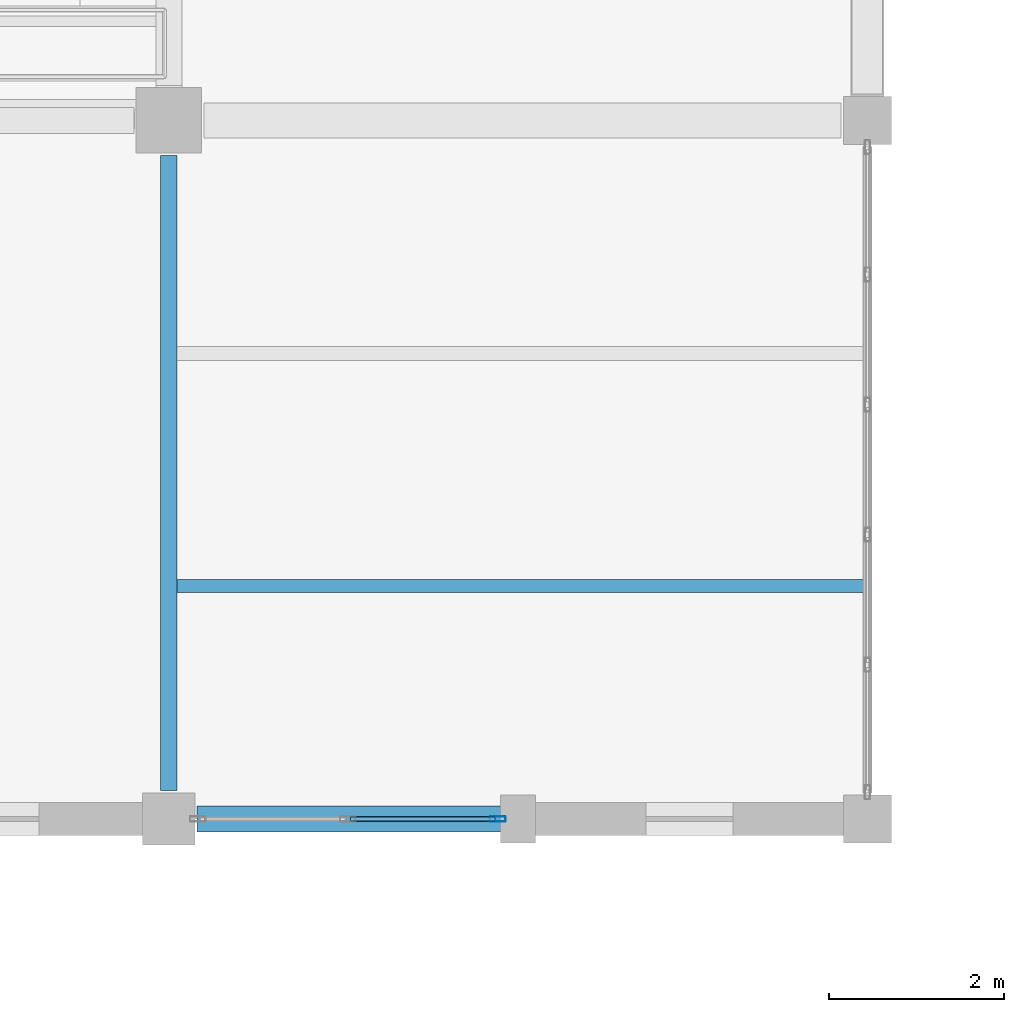
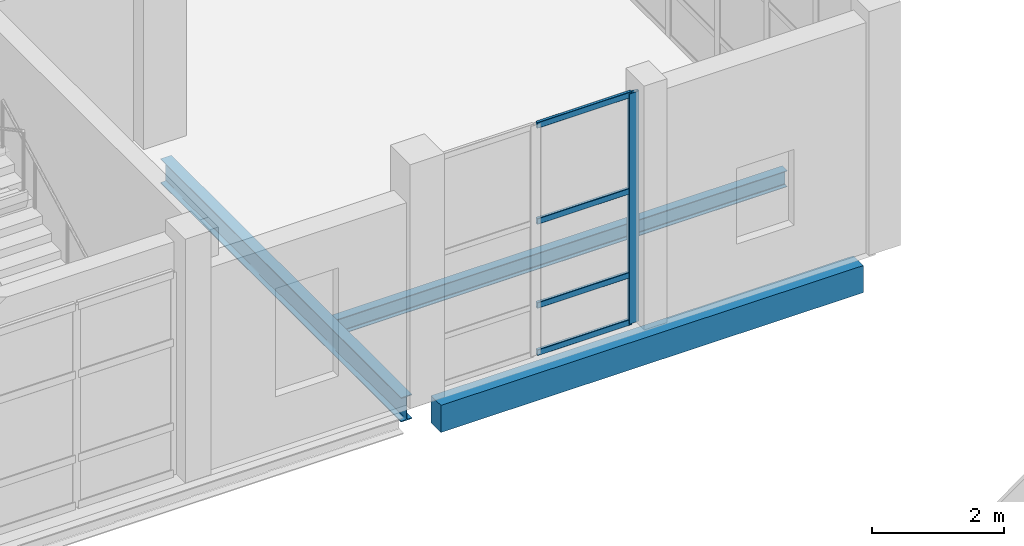
# One storey, part 47 of 183: 5 members, 3 beams, 1 element without a shape of its own.
"""IFC4 building model written with IfcOpenShell, lengths in metres."""

from ifc_helpers import new_model, si_unit, direction, frame, origin, origin_2d, place, context, subcontext, project, spatial, rectangle, hollow_rectangle, i_section, extrude, material, material_profile, profile_set, type_object, element, aggregate, save


model = new_model("IFC4")

# Units and contexts
model_context = context("Model", 3, precision=1e-05, world=origin(), true_north=direction((0.0, 1.0)))
body_context = subcontext(model_context, "Body", "Model", "MODEL_VIEW")
ifc_project = project(units=[si_unit("LENGTHUNIT", "METRE"), si_unit("AREAUNIT", "SQUARE_METRE"), si_unit("VOLUMEUNIT", "CUBIC_METRE"), si_unit("PLANEANGLEUNIT", "RADIAN"), si_unit("MASSUNIT", "GRAM", prefix="KILO")], contexts=[model_context])

# Site, building, storey
site_placement = place(None, origin())
site = spatial("IfcSite", under=ifc_project, at=site_placement, CompositionType="ELEMENT")
building_placement = place(site_placement, origin())
building = spatial("IfcBuilding", under=site, at=building_placement, Name="Luwemba Playhouse", CompositionType="ELEMENT")
storey_placement = place(building_placement, frame((0.0, 0.0, 4.800048828125)))
storey = spatial("IfcBuildingStorey", under=building, at=storey_placement, Name="L01", CompositionType="ELEMENT", Elevation=4.800048828125)

# Beams
ifc_material_1 = material(Name="Steel S355", Category="steel")
ifc_material_profile_1 = material_profile(ifc_material_1, i_section(OverallWidth=0.18994140625, OverallDepth=0.449951171875, WebThickness=0.009521484375, FlangeThickness=0.0146484375, FilletRadius=0.02099609375, at=origin_2d()))
ifc_profile_set_1 = profile_set([ifc_material_profile_1], Name="Steel S355")
beam_type_1 = type_object("IfcBeamType", Name="BM-SB06", PredefinedType="BEAM", material=ifc_profile_set_1)
beam_1_placement = place(storey_placement, frame((44.0, 36.324951171875, -0.47509765625), z_axis=(0.0, 1.0, 0.0), x_axis=(-1.0, 0.0, 0.0)))
element("IfcBeam", 1, at=beam_1_placement, inside=storey, type_object=beam_type_1, Name="L01 transverse girder 0367", PredefinedType="BEAM", context=body_context, shape_type="SweptSolid", body=[
    extrude(i_section(OverallWidth=0.18994140625, OverallDepth=0.449951171875, WebThickness=0.009521484375, FlangeThickness=0.0146484375, FilletRadius=0.02099609375, at=origin_2d()), origin(), (0.0, 0.0, 1.0), 7.275146484375),
])
ifc_material_profile_2 = material_profile(ifc_material_1, i_section(OverallWidth=0.14990234375, OverallDepth=0.300048828125, WebThickness=0.007080078125, FlangeThickness=0.0107421875, FilletRadius=0.014892578125, at=origin_2d()))
ifc_profile_set_2 = profile_set([ifc_material_profile_2], Name="Steel S355")
beam_type_2 = type_object("IfcBeamType", Name="BM-SJ05", PredefinedType="JOIST", material=ifc_profile_set_2)
beam_2_placement = place(storey_placement, frame((44.091064453125, 38.666748046875, -0.400146484375), z_axis=(1.0, 0.0, 0.0), x_axis=(0.0, 1.0, 0.0)))
element("IfcBeam", 2, at=beam_2_placement, inside=storey, type_object=beam_type_2, Name="L01 composite floor joist 0246", PredefinedType="JOIST", context=body_context, shape_type="SweptSolid", body=[
    extrude(i_section(OverallWidth=0.14990234375, OverallDepth=0.300048828125, WebThickness=0.007080078125, FlangeThickness=0.0107421875, FilletRadius=0.014892578125, at=origin_2d()), origin(), (0.0, 0.0, 1.0), 7.863037109375),
])
ifc_material_2 = material(Name="Concrete C40/50", Category="concrete")
ifc_material_profile_3 = material_profile(ifc_material_2, rectangle(XDim=0.300048828125, YDim=0.5, at=origin_2d()))
ifc_profile_set_3 = profile_set([ifc_material_profile_3], Name="Concrete C40/50")
beam_type_3 = type_object("IfcBeamType", Name="BM-SP1", PredefinedType="SPANDREL", material=ifc_profile_set_3)
beam_3_placement = place(storey_placement, frame((44.324951171875, 36.0, -0.5), z_axis=(1.0, 0.0, 0.0), x_axis=(0.0, 1.0, 0.0)))
element("IfcBeam", 3, at=beam_3_placement, inside=storey, type_object=beam_type_3, Name="L01 grid girder 0344", PredefinedType="SPANDREL", context=body_context, shape_type="SweptSolid", body=[
    extrude(rectangle(XDim=0.300048828125, YDim=0.5, at=origin_2d()), origin(), (0.0, 0.0, 1.0), 7.375),
])

# Curtain wall, members
ifc_material_3 = material(Name="Solar-control double glazing", Category="glass")
curtain_wall_type = type_object("IfcCurtainWallType", Name="CW-CW75", PredefinedType="USERDEFINED", material=ifc_material_3)
curtain_wall_placement = place(storey_placement, origin())
curtain_wall = element("IfcCurtainWall", 4, at=curtain_wall_placement, inside=storey, type_object=curtain_wall_type, Name="L01 V1 unitised curtain wall 099", ObjectType="UNITISED GLAZING", PredefinedType="USERDEFINED")
ifc_material_4 = material(Name="Aluminium 6063-T6", Category="aluminium")
ifc_material_profile_4 = material_profile(ifc_material_4, hollow_rectangle(XDim=0.06494140625, YDim=0.179931640625, WallThickness=0.00439453125, InnerFilletRadius=0.0068359375, OuterFilletRadius=0.01123046875, at=origin_2d()))
ifc_profile_set_4 = profile_set([ifc_material_profile_4], Name="Aluminium 6063-T6")
member_type_1 = type_object("IfcMemberType", Name="CWM-M2", PredefinedType="MULLION", material=ifc_profile_set_4)
member_1_placement = place(storey_placement, frame((47.767578125, 36.0, 0.0), z_axis=(0.0, 0.0, 1.0), x_axis=(0.0, -1.0, 0.0)))
member_1 = element("IfcMember", 5, at=member_1_placement, type_object=member_type_1, Name="CW75 mullion 1", PredefinedType="MULLION", context=body_context, shape_type="SweptSolid", body=[
    extrude(hollow_rectangle(XDim=0.06494140625, YDim=0.179931640625, WallThickness=0.00439453125, InnerFilletRadius=0.0068359375, OuterFilletRadius=0.01123046875, at=origin_2d()), origin(), (0.0, 0.0, 1.0), 4.25),
])
ifc_material_profile_5 = material_profile(ifc_material_4, hollow_rectangle(XDim=0.054931640625, YDim=0.110107421875, WallThickness=0.00341796875, InnerFilletRadius=0.00537109375, OuterFilletRadius=0.0087890625, at=origin_2d()))
ifc_profile_set_5 = profile_set([ifc_material_profile_5], Name="Aluminium 6063-T6")
member_type_2 = type_object("IfcMemberType", Name="CWT-T2", PredefinedType="USERDEFINED", material=ifc_profile_set_5)
member_2_placement = place(storey_placement, frame((47.735107421875, 36.0, 0.02734375), z_axis=(-1.0, 0.0, 0.0), x_axis=(0.0, -1.0, 0.0)))
member_2 = element("IfcMember", 6, at=member_2_placement, type_object=member_type_2, Name="CW75 transom 1.1", ObjectType="TRANSOM", PredefinedType="USERDEFINED", context=body_context, shape_type="SweptSolid", body=[
    extrude(hollow_rectangle(XDim=0.054931640625, YDim=0.110107421875, WallThickness=0.00341796875, InnerFilletRadius=0.00537109375, OuterFilletRadius=0.0087890625, at=origin_2d()), origin(), (0.0, 0.0, 1.0), 1.652587890625),
])
member_3_placement = place(storey_placement, frame((47.735107421875, 36.0, 0.89990234375), z_axis=(-1.0, 0.0, 0.0), x_axis=(0.0, -1.0, 0.0)))
member_3 = element("IfcMember", 7, at=member_3_placement, type_object=member_type_2, Name="CW75 transom 1.2", ObjectType="TRANSOM", PredefinedType="USERDEFINED", context=body_context, shape_type="SweptSolid", body=[
    extrude(hollow_rectangle(XDim=0.054931640625, YDim=0.110107421875, WallThickness=0.00341796875, InnerFilletRadius=0.00537109375, OuterFilletRadius=0.0087890625, at=origin_2d()), origin(), (0.0, 0.0, 1.0), 1.652587890625),
])
member_4_placement = place(storey_placement, frame((47.735107421875, 36.0, 2.449951171875), z_axis=(-1.0, 0.0, 0.0), x_axis=(0.0, -1.0, 0.0)))
member_4 = element("IfcMember", 8, at=member_4_placement, type_object=member_type_2, Name="CW75 transom 1.3", ObjectType="TRANSOM", PredefinedType="USERDEFINED", context=body_context, shape_type="SweptSolid", body=[
    extrude(hollow_rectangle(XDim=0.054931640625, YDim=0.110107421875, WallThickness=0.00341796875, InnerFilletRadius=0.00537109375, OuterFilletRadius=0.0087890625, at=origin_2d()), origin(), (0.0, 0.0, 1.0), 1.652587890625),
])
member_5_placement = place(storey_placement, frame((47.735107421875, 36.0, 4.222412109375), z_axis=(-1.0, 0.0, 0.0), x_axis=(0.0, -1.0, 0.0)))
member_5 = element("IfcMember", 9, at=member_5_placement, type_object=member_type_2, Name="CW75 transom 1.4", ObjectType="TRANSOM", PredefinedType="USERDEFINED", context=body_context, shape_type="SweptSolid", body=[
    extrude(hollow_rectangle(XDim=0.054931640625, YDim=0.110107421875, WallThickness=0.00341796875, InnerFilletRadius=0.00537109375, OuterFilletRadius=0.0087890625, at=origin_2d()), origin(), (0.0, 0.0, 1.0), 1.652587890625),
])
aggregate(curtain_wall, [member_1, member_2, member_3, member_4, member_5])

save(model, "model.ifc")
